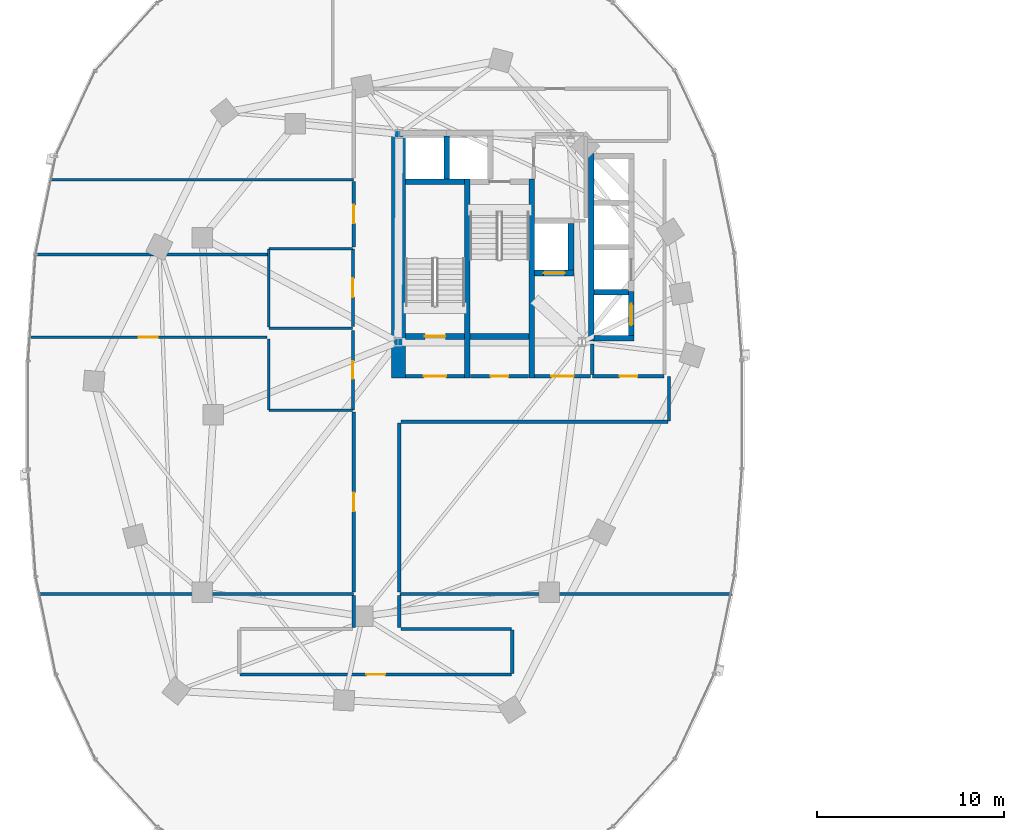
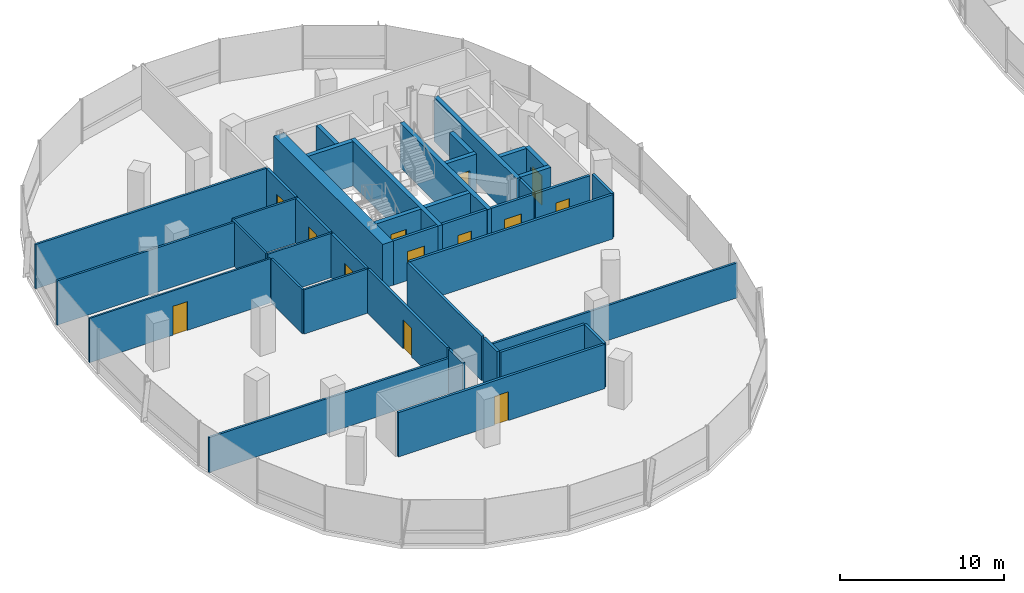
# One storey, part 11 of 21: 40 walls, 13 doors, 13 openings.
"""IFC4 building model written with IfcOpenShell, lengths in metres."""

from ifc_helpers import new_model, si_unit, direction, frame, frame_2d, origin, place, context, subcontext, project, spatial, rectangle, extrude, material, layer, layer_set, type_object, element, fill, save


model = new_model("IFC4")

# Units and contexts
model_context = context("Model", 3, precision=1e-05, world=origin(), true_north=direction((0.0, 1.0)))
body_context = subcontext(model_context, "Body", "Model", "MODEL_VIEW")
ifc_project = project(units=[si_unit("LENGTHUNIT", "METRE"), si_unit("AREAUNIT", "SQUARE_METRE"), si_unit("VOLUMEUNIT", "CUBIC_METRE"), si_unit("PLANEANGLEUNIT", "RADIAN"), si_unit("MASSUNIT", "GRAM", prefix="KILO"), si_unit("THERMODYNAMICTEMPERATUREUNIT", "KELVIN"), si_unit("POWERUNIT", "WATT")], contexts=[model_context])

# Site, building, storey
site_placement = place(None, origin())
site = spatial("IfcSite", under=ifc_project, at=site_placement, CompositionType="ELEMENT")
building_placement = place(site_placement, origin())
building = spatial("IfcBuilding", under=site, at=building_placement, Name="Cundina Bronze Exchange", CompositionType="ELEMENT")
storey_placement = place(building_placement, frame((0.0, 0.0, 110.60009765625)))
storey = spatial("IfcBuildingStorey", under=building, at=storey_placement, Name="L28", CompositionType="ELEMENT", Elevation=110.60009765625)

# Wall
ifc_material_1 = material(Name="Gypsum Fireboard Partition EI120")
ifc_layer_1 = layer(ifc_material_1, 0.179931640625, Name="Gypsum Fireboard Partition EI120")
ifc_layer_set_1 = layer_set([ifc_layer_1], Name="Gypsum Fireboard Partition EI120")
wall_type_1 = type_object("IfcWallType", Name="WL-COR-180", PredefinedType="PARTITIONING", material=ifc_layer_set_1)
wall_1_placement = place(storey_placement, frame((-20.889892578125, 2.14990234375, 0.0), z_axis=(0.0, 0.0, 1.0), x_axis=(0.0, 1.0, 0.0)))
element("IfcWall", 1, at=wall_1_placement, inside=storey, type_object=wall_type_1, Name="L28 W Firefighting Lobby Side Wall", PredefinedType="PARTITIONING", context=body_context, shape_type="SweptSolid", body=[
    extrude(rectangle(XDim=1.650146484375, YDim=0.179931640625, at=frame_2d((0.8251953125, 0.0))), origin(), (0.0, 0.0, 1.0), 3.2998046875),
])

# Wall, opening, door
wall_2_placement = place(storey_placement, frame((-23.97998046875, 2.06005859375, 0.0), z_axis=(0.0, 0.0, 1.0), x_axis=(1.0, 0.0, 0.0)))
wall_2 = element("IfcWall", 2, at=wall_2_placement, inside=storey, type_object=wall_type_1, Name="L28 W Firefighting Lobby Exit Wall", PredefinedType="PARTITIONING", context=body_context, shape_type="SweptSolid", body=[
    extrude(rectangle(XDim=3.0, YDim=0.179931640625, at=frame_2d((1.5, 0.0))), origin(), (0.0, 0.0, 1.0), 3.2998046875),
])
opening_1_placement = place(wall_2_placement, frame((0.89990234375, 0.0, 0.0)))
opening_1 = element("IfcOpeningElement", 3, at=opening_1_placement, cuts=wall_2, Name="Opening DF-01", PredefinedType="OPENING", context=body_context, shape_type="SweptSolid", body=[
    extrude(rectangle(XDim=1.199951171875, YDim=2.14990234375, at=frame_2d((0.60009765625, 1.074951171875))), frame((0.0, 0.099853515625, 0.0), z_axis=(0.0, -1.0, 0.0), x_axis=(1.0, 0.0, 0.0)), (0.0, 0.0, 1.0), 0.199951171875),
])
ifc_material_2 = material(Name="Steel ASTM A36 Painted", Category="steel")
door_type_1 = type_object("IfcDoorType", Name="DR-FFL-1200", OperationType="NOTDEFINED", PredefinedType="DOOR", material=ifc_material_2)
door_1_placement = place(opening_1_placement, origin())
door_1 = element("IfcDoor", 4, at=door_1_placement, inside=storey, type_object=door_type_1, Name="L28 W Firefighting Lobby Door", OperationType="SINGLE_SWING_RIGHT", OverallHeight=2.14990234375, OverallWidth=1.199951171875, PredefinedType="DOOR", context=body_context, shape_type="SweptSolid", body=[
    extrude(rectangle(XDim=1.199951171875, YDim=2.14990234375, at=frame_2d((0.60009765625, 1.074951171875))), frame((0.0, 0.02490234375, 0.0), z_axis=(0.0, -1.0, 0.0), x_axis=(1.0, 0.0, 0.0)), (0.0, 0.0, 1.0), 0.050048828125),
])
fill(opening_1, door_1)

wall_3_placement = place(storey_placement, frame((-30.89990234375, 2.06005859375, 0.0), z_axis=(0.0, 0.0, 1.0), x_axis=(1.0, 0.0, 0.0)))
wall_3 = element("IfcWall", 5, at=wall_3_placement, inside=storey, type_object=wall_type_1, Name="L28 W Stair Vestibule Exit Wall", PredefinedType="PARTITIONING", context=body_context, shape_type="SweptSolid", body=[
    extrude(rectangle(XDim=3.159912109375, YDim=0.179931640625, at=frame_2d((1.580078125, 0.0))), origin(), (0.0, 0.0, 1.0), 3.2998046875),
])
opening_2_placement = place(wall_3_placement, frame((0.97998046875, 0.0, 0.0)))
opening_2 = element("IfcOpeningElement", 6, at=opening_2_placement, cuts=wall_3, Name="Opening DF-01", PredefinedType="OPENING", context=body_context, shape_type="SweptSolid", body=[
    extrude(rectangle(XDim=1.199951171875, YDim=2.14990234375, at=frame_2d((0.60009765625, 1.074951171875))), frame((0.0, 0.099853515625, 0.0), z_axis=(0.0, -1.0, 0.0), x_axis=(1.0, 0.0, 0.0)), (0.0, 0.0, 1.0), 0.199951171875),
])
door_2_placement = place(opening_2_placement, origin())
door_2 = element("IfcDoor", 7, at=door_2_placement, inside=storey, type_object=door_type_1, Name="L28 W Stair Vestibule Door", OperationType="SINGLE_SWING_LEFT", OverallHeight=2.14990234375, OverallWidth=1.199951171875, PredefinedType="DOOR", context=body_context, shape_type="SweptSolid", body=[
    extrude(rectangle(XDim=1.199951171875, YDim=2.14990234375, at=frame_2d((0.60009765625, 1.074951171875))), frame((0.0, 0.02490234375, 0.0), z_axis=(0.0, -1.0, 0.0), x_axis=(1.0, 0.0, 0.0)), (0.0, 0.0, 1.0), 0.050048828125),
])
fill(opening_2, door_2)

wall_4_placement = place(storey_placement, frame((-20.8701171875, 2.070068359375, 0.0), z_axis=(0.0, 0.0, 1.0), x_axis=(1.0, 0.0, 0.0)))
wall_4 = element("IfcWall", 8, at=wall_4_placement, inside=storey, type_object=wall_type_1, Name="L28 Interior Partition 002", PredefinedType="PARTITIONING", context=body_context, shape_type="SweptSolid", body=[
    extrude(rectangle(XDim=3.830078125, YDim=0.179931640625, at=frame_2d((1.9150390625, 0.0))), origin(), (0.0, 0.0, 1.0), 3.2998046875),
])
opening_3_placement = place(wall_4_placement, frame((1.43994140625, 0.0, 0.0)))
opening_3 = element("IfcOpeningElement", 9, at=opening_3_placement, cuts=wall_4, Name="Opening DW-01", PredefinedType="OPENING", context=body_context, shape_type="SweptSolid", body=[
    extrude(rectangle(XDim=0.949951171875, YDim=2.10009765625, at=frame_2d((0.47509765625, 1.050048828125))), frame((0.0, 0.099853515625, 0.0), z_axis=(0.0, -1.0, 0.0), x_axis=(1.0, 0.0, 0.0)), (0.0, 0.0, 1.0), 0.199951171875),
])
ifc_material_3 = material(Name="Solid Andean Oak Timber Grade A", Category="wood")
door_type_2 = type_object("IfcDoorType", Name="DR-WC-950", OperationType="NOTDEFINED", PredefinedType="DOOR", material=ifc_material_3)
door_3_placement = place(opening_3_placement, origin())
door_3 = element("IfcDoor", 10, at=door_3_placement, inside=storey, type_object=door_type_2, Name="L28 Interior Door 002", OperationType="SINGLE_SWING_LEFT", OverallHeight=2.10009765625, OverallWidth=0.949951171875, PredefinedType="DOOR", context=body_context, shape_type="SweptSolid", body=[
    extrude(rectangle(XDim=0.949951171875, YDim=2.10009765625, at=frame_2d((0.47509765625, 1.050048828125))), frame((0.0, 0.02490234375, 0.0), z_axis=(0.0, -1.0, 0.0), x_axis=(1.0, 0.0, 0.0)), (0.0, 0.0, 1.0), 0.050048828125),
])
fill(opening_3, door_3)

wall_5_placement = place(storey_placement, frame((-27.419921875, 2.070068359375, 0.0), z_axis=(0.0, 0.0, 1.0), x_axis=(1.0, 0.0, 0.0)))
wall_5 = element("IfcWall", 11, at=wall_5_placement, inside=storey, type_object=wall_type_1, Name="L28 Interior Partition 006", PredefinedType="PARTITIONING", context=body_context, shape_type="SweptSolid", body=[
    extrude(rectangle(XDim=3.119873046875, YDim=0.179931640625, at=frame_2d((1.56005859375, 0.0))), origin(), (0.0, 0.0, 1.0), 3.2998046875),
])
opening_4_placement = place(wall_5_placement, frame((1.0849609375, 0.0, 0.0)))
opening_4 = element("IfcOpeningElement", 12, at=opening_4_placement, cuts=wall_5, Name="Opening DW-01", PredefinedType="OPENING", context=body_context, shape_type="SweptSolid", body=[
    extrude(rectangle(XDim=0.949951171875, YDim=2.10009765625, at=frame_2d((0.47509765625, 1.050048828125))), frame((0.0, 0.099853515625, 0.0), z_axis=(0.0, -1.0, 0.0), x_axis=(1.0, 0.0, 0.0)), (0.0, 0.0, 1.0), 0.199951171875),
])
door_4_placement = place(opening_4_placement, origin())
door_4 = element("IfcDoor", 13, at=door_4_placement, inside=storey, type_object=door_type_2, Name="L28 Interior Door 006", OperationType="SINGLE_SWING_RIGHT", OverallHeight=2.10009765625, OverallWidth=0.949951171875, PredefinedType="DOOR", context=body_context, shape_type="SweptSolid", body=[
    extrude(rectangle(XDim=0.949951171875, YDim=2.10009765625, at=frame_2d((0.47509765625, 1.050048828125))), frame((0.0, 0.02490234375, 0.0), z_axis=(0.0, -1.0, 0.0), x_axis=(1.0, 0.0, 0.0)), (0.0, 0.0, 1.0), 0.050048828125),
])
fill(opening_4, door_4)

wall_6_placement = place(storey_placement, frame((-33.719970703125, 0.27001953125, 0.0), z_axis=(0.0, 0.0, 1.0), x_axis=(0.0, 1.0, 0.0)))
wall_6 = element("IfcWall", 14, at=wall_6_placement, inside=storey, type_object=wall_type_1, Name="L28 Interior Partition 013", PredefinedType="PARTITIONING", context=body_context, shape_type="SweptSolid", body=[
    extrude(rectangle(XDim=4.260009765625, YDim=0.179931640625, at=frame_2d((2.1298828125, 0.0))), origin(), (0.0, 0.0, 1.0), 3.2998046875),
])
opening_5_placement = place(wall_6_placement, frame((1.655029296875, 0.0, 0.0)))
opening_5 = element("IfcOpeningElement", 15, at=opening_5_placement, cuts=wall_6, Name="Opening DW-01", PredefinedType="OPENING", context=body_context, shape_type="SweptSolid", body=[
    extrude(rectangle(XDim=0.949951171875, YDim=2.10009765625, at=frame_2d((0.47509765625, 1.050048828125))), frame((0.0, 0.099853515625, 0.0), z_axis=(0.0, -1.0, 0.0), x_axis=(1.0, 0.0, 0.0)), (0.0, 0.0, 1.0), 0.199951171875),
])
door_5_placement = place(opening_5_placement, origin())
door_5 = element("IfcDoor", 16, at=door_5_placement, inside=storey, type_object=door_type_2, Name="L28 Interior Door 013", OperationType="SINGLE_SWING_LEFT", OverallHeight=2.10009765625, OverallWidth=0.949951171875, PredefinedType="DOOR", context=body_context, shape_type="SweptSolid", body=[
    extrude(rectangle(XDim=0.949951171875, YDim=2.10009765625, at=frame_2d((0.47509765625, 1.050048828125))), frame((0.0, 0.02490234375, 0.0), z_axis=(0.0, -1.0, 0.0), x_axis=(1.0, 0.0, 0.0)), (0.0, 0.0, 1.0), 0.050048828125),
])
fill(opening_5, door_5)

wall_7_placement = place(storey_placement, frame((-33.719970703125, 4.72998046875, 0.0), z_axis=(0.0, 0.0, 1.0), x_axis=(0.0, 1.0, 0.0)))
wall_7 = element("IfcWall", 17, at=wall_7_placement, inside=storey, type_object=wall_type_1, Name="L28 Interior Partition 014", PredefinedType="PARTITIONING", context=body_context, shape_type="SweptSolid", body=[
    extrude(rectangle(XDim=4.159912109375, YDim=0.179931640625, at=frame_2d((2.080078125, 0.0))), origin(), (0.0, 0.0, 1.0), 3.2998046875),
])
opening_6_placement = place(wall_7_placement, frame((1.580078125, 0.0, 0.0)))
opening_6 = element("IfcOpeningElement", 18, at=opening_6_placement, cuts=wall_7, Name="Opening DO-01", PredefinedType="OPENING", context=body_context, shape_type="SweptSolid", body=[
    extrude(rectangle(XDim=1.0, YDim=2.14990234375, at=frame_2d((0.5, 1.074951171875))), frame((0.0, 0.099853515625, 0.0), z_axis=(0.0, -1.0, 0.0), x_axis=(1.0, 0.0, 0.0)), (0.0, 0.0, 1.0), 0.199951171875),
])
door_type_3 = type_object("IfcDoorType", Name="DR-OFF-1000", OperationType="NOTDEFINED", PredefinedType="DOOR", material=ifc_material_3)
door_6_placement = place(opening_6_placement, origin())
door_6 = element("IfcDoor", 19, at=door_6_placement, inside=storey, type_object=door_type_3, Name="L28 Interior Door 014", OperationType="SINGLE_SWING_LEFT", OverallHeight=2.14990234375, OverallWidth=1.0, PredefinedType="DOOR", context=body_context, shape_type="SweptSolid", body=[
    extrude(rectangle(XDim=1.0, YDim=2.14990234375, at=frame_2d((0.5, 1.074951171875))), frame((0.0, 0.02490234375, 0.0), z_axis=(0.0, -1.0, 0.0), x_axis=(1.0, 0.0, 0.0)), (0.0, 0.0, 1.0), 0.050048828125),
])
fill(opening_6, door_6)

wall_8_placement = place(storey_placement, frame((-39.778564453125, -13.919921875, 0.0), z_axis=(0.0, 0.0, 1.0), x_axis=(1.0, 0.0, 0.0)))
wall_8 = element("IfcWall", 20, at=wall_8_placement, inside=storey, type_object=wall_type_1, Name="L28 Interior Partition 020", PredefinedType="PARTITIONING", context=body_context, shape_type="SweptSolid", body=[
    extrude(rectangle(XDim=14.55712890625, YDim=0.179931640625, at=frame_2d((7.278564453125, 0.0))), origin(), (0.0, 0.0, 1.0), 3.2998046875),
])
opening_7_placement = place(wall_8_placement, frame((6.778564453125, 0.0, 0.0)))
opening_7 = element("IfcOpeningElement", 21, at=opening_7_placement, cuts=wall_8, Name="Opening DO-01", PredefinedType="OPENING", context=body_context, shape_type="SweptSolid", body=[
    extrude(rectangle(XDim=1.0, YDim=2.14990234375, at=frame_2d((0.5, 1.074951171875))), frame((0.0, 0.099853515625, 0.0), z_axis=(0.0, -1.0, 0.0), x_axis=(1.0, 0.0, 0.0)), (0.0, 0.0, 1.0), 0.199951171875),
])
door_7_placement = place(opening_7_placement, origin())
door_7 = element("IfcDoor", 22, at=door_7_placement, inside=storey, type_object=door_type_3, Name="L28 Interior Door 020", OperationType="SINGLE_SWING_RIGHT", OverallHeight=2.14990234375, OverallWidth=1.0, PredefinedType="DOOR", context=body_context, shape_type="SweptSolid", body=[
    extrude(rectangle(XDim=1.0, YDim=2.14990234375, at=frame_2d((0.5, 1.074951171875))), frame((0.0, 0.02490234375, 0.0), z_axis=(0.0, -1.0, 0.0), x_axis=(1.0, 0.0, 0.0)), (0.0, 0.0, 1.0), 0.050048828125),
])
fill(opening_7, door_7)

# Walls
wall_9_placement = place(storey_placement, frame((-25.221435546875, -11.47998046875, 0.0), z_axis=(0.0, 0.0, 1.0), x_axis=(-1.0, 0.0, 0.0)))
element("IfcWall", 23, at=wall_9_placement, inside=storey, type_object=wall_type_1, Name="L28 Interior Partition 022", PredefinedType="PARTITIONING", context=body_context, shape_type="SweptSolid", body=[
    extrude(rectangle(XDim=5.928466796875, YDim=0.179931640625, at=frame_2d((2.96435546875, 0.0))), origin(), (0.0, 0.0, 1.0), 3.2998046875),
])
wall_10_placement = place(storey_placement, frame((-25.179931640625, -13.87841796875, 0.0), z_axis=(0.0, 0.0, 1.0), x_axis=(0.0, 1.0, 0.0)))
element("IfcWall", 24, at=wall_10_placement, inside=storey, type_object=wall_type_1, Name="L28 Interior Partition 024", PredefinedType="PARTITIONING", context=body_context, shape_type="SweptSolid", body=[
    extrude(rectangle(XDim=2.35693359375, YDim=0.179931640625, at=frame_2d((1.178466796875, 0.0))), origin(), (0.0, 0.0, 1.0), 3.2998046875),
])
for number, where, z_axis, x_axis, name in (
    (25, (-33.669921875, -9.68994140625, 0.0), (0.0, 0.0, 1.0), (0.0, -1.0, 0.0), "L28 Interior Partition 025"),
    (26, (-31.22998046875, -11.39990234375, 0.0), (0.0, 0.0, 1.0), (0.0, 1.0, 0.0), "L28 Interior Partition 026"),
):
    element("IfcWall", number, at=place(storey_placement, frame(where, z_axis=z_axis, x_axis=x_axis)), inside=storey, type_object=wall_type_1, Name=name, PredefinedType="PARTITIONING", context=body_context, shape_type="SweptSolid", body=[
        extrude(rectangle(XDim=1.7099609375, YDim=0.179931640625, at=frame_2d((0.85498046875, 0.0))), origin(), (0.0, 0.0, 1.0), 3.2998046875),
    ])

# Wall, opening, door
wall_11_placement = place(storey_placement, frame((-33.669921875, 0.15869140625, 0.0), z_axis=(0.0, 0.0, 1.0), x_axis=(0.0, -1.0, 0.0)))
wall_11 = element("IfcWall", 27, at=wall_11_placement, inside=storey, type_object=wall_type_1, Name="L28 Interior Partition 027", PredefinedType="PARTITIONING", context=body_context, shape_type="SweptSolid", body=[
    extrude(rectangle(XDim=9.668701171875, YDim=0.179931640625, at=frame_2d((4.83447265625, 0.0))), origin(), (0.0, 0.0, 1.0), 3.2998046875),
])
opening_8_placement = place(wall_11_placement, frame((4.334228515625, 0.0, 0.0)))
opening_8 = element("IfcOpeningElement", 28, at=opening_8_placement, cuts=wall_11, Name="Opening DO-01", PredefinedType="OPENING", context=body_context, shape_type="SweptSolid", body=[
    extrude(rectangle(XDim=1.0, YDim=2.14990234375, at=frame_2d((0.5, 1.074951171875))), frame((0.0, 0.099853515625, 0.0), z_axis=(0.0, -1.0, 0.0), x_axis=(1.0, 0.0, 0.0)), (0.0, 0.0, 1.0), 0.199951171875),
])
door_8_placement = place(opening_8_placement, origin())
door_8 = element("IfcDoor", 29, at=door_8_placement, inside=storey, type_object=door_type_3, Name="L28 Interior Door 027", OperationType="SINGLE_SWING_RIGHT", OverallHeight=2.14990234375, OverallWidth=1.0, PredefinedType="DOOR", context=body_context, shape_type="SweptSolid", body=[
    extrude(rectangle(XDim=1.0, YDim=2.14990234375, at=frame_2d((0.5, 1.074951171875))), frame((0.0, 0.02490234375, 0.0), z_axis=(0.0, -1.0, 0.0), x_axis=(1.0, 0.0, 0.0)), (0.0, 0.0, 1.0), 0.050048828125),
])
fill(opening_8, door_8)

# Walls
wall_12_placement = place(storey_placement, frame((-31.14990234375, -0.3701171875, 0.0), z_axis=(0.0, 0.0, 1.0), x_axis=(1.0, 0.0, 0.0)))
element("IfcWall", 30, at=wall_12_placement, inside=storey, type_object=wall_type_1, Name="L28 Interior Partition 029", PredefinedType="PARTITIONING", context=body_context, shape_type="SweptSolid", body=[
    extrude(rectangle(XDim=14.328369140625, YDim=0.179931640625, at=frame_2d((7.1640625, 0.0))), origin(), (0.0, 0.0, 1.0), 3.2998046875),
])
wall_13_placement = place(storey_placement, frame((-31.22998046875, -9.510009765625, 0.0), z_axis=(0.0, 0.0, 1.0), x_axis=(0.0, 1.0, 0.0)))
element("IfcWall", 31, at=wall_13_placement, inside=storey, type_object=wall_type_1, Name="L28 Interior Partition 030", PredefinedType="PARTITIONING", context=body_context, shape_type="SweptSolid", body=[
    extrude(rectangle(XDim=9.06005859375, YDim=0.179931640625, at=frame_2d((4.530029296875, 0.0))), origin(), (0.0, 0.0, 1.0), 3.2998046875),
])
wall_14_placement = place(storey_placement, frame((-16.780029296875, -0.32861328125, 0.0), z_axis=(0.0, 0.0, 1.0), x_axis=(0.0, 1.0, 0.0)))
element("IfcWall", 32, at=wall_14_placement, inside=storey, type_object=wall_type_1, Name="L28 Interior Partition 034", PredefinedType="PARTITIONING", context=body_context, shape_type="SweptSolid", body=[
    extrude(rectangle(XDim=2.38720703125, YDim=0.179931640625, at=frame_2d((1.193603515625, 0.0))), origin(), (0.0, 0.0, 1.0), 3.2998046875),
])

# Wall, opening, door
wall_15_placement = place(storey_placement, frame((-33.669921875, 12.510009765625, 0.0), z_axis=(0.0, 0.0, 1.0), x_axis=(0.0, -1.0, 0.0)))
wall_15 = element("IfcWall", 33, at=wall_15_placement, inside=storey, type_object=wall_type_1, Name="L28 Interior Partition 035", PredefinedType="PARTITIONING", context=body_context, shape_type="SweptSolid", body=[
    extrude(rectangle(XDim=3.508544921875, YDim=0.179931640625, at=frame_2d((1.75439453125, 0.0))), origin(), (0.0, 0.0, 1.0), 3.2998046875),
])
opening_9_placement = place(wall_15_placement, frame((1.25439453125, 0.0, 0.0)))
opening_9 = element("IfcOpeningElement", 34, at=opening_9_placement, cuts=wall_15, Name="Opening DO-01", PredefinedType="OPENING", context=body_context, shape_type="SweptSolid", body=[
    extrude(rectangle(XDim=1.0, YDim=2.14990234375, at=frame_2d((0.5, 1.074951171875))), frame((0.0, 0.099853515625, 0.0), z_axis=(0.0, -1.0, 0.0), x_axis=(1.0, 0.0, 0.0)), (0.0, 0.0, 1.0), 0.199951171875),
])
door_9_placement = place(opening_9_placement, origin())
door_9 = element("IfcDoor", 35, at=door_9_placement, inside=storey, type_object=door_type_3, Name="L28 Interior Door 035", OperationType="SINGLE_SWING_LEFT", OverallHeight=2.14990234375, OverallWidth=1.0, PredefinedType="DOOR", context=body_context, shape_type="SweptSolid", body=[
    extrude(rectangle(XDim=1.0, YDim=2.14990234375, at=frame_2d((0.5, 1.074951171875))), frame((0.0, 0.02490234375, 0.0), z_axis=(0.0, -1.0, 0.0), x_axis=(1.0, 0.0, 0.0)), (0.0, 0.0, 1.0), 0.050048828125),
])
fill(opening_9, door_9)

# Wall
ifc_material_4 = material(Name="Concrete C60/75", Category="concrete")
ifc_layer_2 = layer(ifc_material_4, 0.75, Name="Concrete C60/75", Category="concrete")
ifc_layer_set_2 = layer_set([ifc_layer_2], Name="Concrete C60/75")
wall_type_2 = type_object("IfcWallType", Name="WL-CORE-750", PredefinedType="SHEAR", material=ifc_layer_set_2)
wall_16_placement = place(storey_placement, frame((-31.27490234375, 1.969970703125, 0.0), z_axis=(0.0, 0.0, 1.0), x_axis=(0.0, 1.0, 0.0)))
element("IfcWall", 36, at=wall_16_placement, inside=storey, type_object=wall_type_2, Name="L28 W Primary Core Shear Spine Wall", PredefinedType="SHEAR", context=body_context, shape_type="SweptSolid", body=[
    extrude(rectangle(XDim=13.330078125, YDim=0.75, at=frame_2d((6.6650390625, 0.0))), origin(), (0.0, 0.0, 1.0), 3.2998046875),
])

# Wall, opening, door
ifc_material_5 = material(Name="Gypsum Acoustic Partition EI60")
ifc_layer_3 = layer(ifc_material_5, 0.125, Name="Gypsum Acoustic Partition EI60")
ifc_layer_set_3 = layer_set([ifc_layer_3], Name="Gypsum Acoustic Partition EI60")
wall_type_3 = type_object("IfcWallType", Name="WL-OFF-125", PredefinedType="PARTITIONING", material=ifc_layer_set_3)
wall_17_placement = place(storey_placement, frame((-38.320068359375, 4.14990234375, 0.0), z_axis=(0.0, 0.0, 1.0), x_axis=(-1.0, 0.0, 0.0)))
wall_17 = element("IfcWall", 37, at=wall_17_placement, inside=storey, type_object=wall_type_3, Name="L28 Interior Partition 036", PredefinedType="PARTITIONING", context=body_context, shape_type="SweptSolid", body=[
    extrude(rectangle(XDim=12.74365234375, YDim=0.125, at=frame_2d((6.371826171875, 0.0))), origin(), (0.0, 0.0, 1.0), 3.2998046875),
])
opening_10_placement = place(wall_17_placement, frame((5.871826171875, 0.0, 0.0)))
opening_10 = element("IfcOpeningElement", 38, at=opening_10_placement, cuts=wall_17, Name="Opening DO-01", PredefinedType="OPENING", context=body_context, shape_type="SweptSolid", body=[
    extrude(rectangle(XDim=1.0, YDim=2.14990234375, at=frame_2d((0.5, 1.074951171875))), frame((0.0, 0.072509765625, 0.0), z_axis=(0.0, -1.0, 0.0), x_axis=(1.0, 0.0, 0.0)), (0.0, 0.0, 1.0), 0.14501953125),
])
door_10_placement = place(opening_10_placement, origin())
door_10 = element("IfcDoor", 39, at=door_10_placement, inside=storey, type_object=door_type_3, Name="L28 Interior Door 036", OperationType="SINGLE_SWING_LEFT", OverallHeight=2.14990234375, OverallWidth=1.0, PredefinedType="DOOR", context=body_context, shape_type="SweptSolid", body=[
    extrude(rectangle(XDim=1.0, YDim=2.14990234375, at=frame_2d((0.5, 1.074951171875))), frame((0.0, 0.02490234375, 0.0), z_axis=(0.0, -1.0, 0.0), x_axis=(1.0, 0.0, 0.0)), (0.0, 0.0, 1.0), 0.050048828125),
])
fill(opening_10, door_10)

# Walls
ifc_material_6 = material(Name="Concrete C50/60", Category="concrete")
ifc_layer_4 = layer(ifc_material_6, 0.300048828125, Name="Concrete C50/60", Category="concrete")
ifc_layer_set_4 = layer_set([ifc_layer_4], Name="Concrete C50/60")
wall_type_4 = type_object("IfcWallType", Name="WL-SHFT-300", PredefinedType="SHEAR", material=ifc_layer_set_4)
for number, where, z_axis, x_axis, name in (
    (40, (-27.590087890625, 1.969970703125, 0.0), (0.0, 0.0, 1.0), (0.0, 1.0, 0.0), "L28 W Stair Shaft Dividing Shear Wall"),
    (41, (-24.1298828125, 1.969970703125, 0.0), (0.0, 0.0, 1.0), (0.0, 1.0, 0.0), "L28 W Stair 2 East Shear Wall"),
):
    element("IfcWall", number, at=place(storey_placement, frame(where, z_axis=z_axis, x_axis=x_axis)), inside=storey, type_object=wall_type_4, Name=name, PredefinedType="SHEAR", context=body_context, shape_type="SweptSolid", body=[
        extrude(rectangle(XDim=10.679931640625, YDim=0.300048828125, at=frame_2d((5.33984375, 0.0))), origin(), (0.0, 0.0, 1.0), 3.2998046875),
    ])

# Wall, opening, door
wall_18_placement = place(storey_placement, frame((-30.89990234375, 4.199951171875, 0.0), z_axis=(0.0, 0.0, 1.0), x_axis=(1.0, 0.0, 0.0)))
wall_18 = element("IfcWall", 42, at=wall_18_placement, inside=storey, type_object=wall_type_4, Name="L28 Stair W1 Landing Wall", PredefinedType="SHEAR", context=body_context, shape_type="SweptSolid", body=[
    extrude(rectangle(XDim=3.159912109375, YDim=0.300048828125, at=frame_2d((1.580078125, 0.0))), origin(), (0.0, 0.0, 1.0), 3.2998046875),
])
opening_11_placement = place(wall_18_placement, frame((1.030029296875, 0.0, 0.0)))
opening_11 = element("IfcOpeningElement", 43, at=opening_11_placement, cuts=wall_18, Name="Opening DS-01", PredefinedType="OPENING", context=body_context, shape_type="SweptSolid", body=[
    extrude(rectangle(XDim=1.10009765625, YDim=2.14990234375, at=frame_2d((0.550048828125, 1.074951171875))), frame((0.0, 0.159912109375, 0.0), z_axis=(0.0, -1.0, 0.0), x_axis=(1.0, 0.0, 0.0)), (0.0, 0.0, 1.0), 0.320068359375),
])
door_type_4 = type_object("IfcDoorType", Name="DR-STR-1100", OperationType="NOTDEFINED", PredefinedType="DOOR", material=ifc_material_2)
door_11_placement = place(opening_11_placement, origin())
door_11 = element("IfcDoor", 44, at=door_11_placement, inside=storey, type_object=door_type_4, Name="L28 Smokeproof Stair W1 Door", OperationType="SINGLE_SWING_RIGHT", OverallHeight=2.14990234375, OverallWidth=1.10009765625, PredefinedType="DOOR", context=body_context, shape_type="SweptSolid", body=[
    extrude(rectangle(XDim=1.10009765625, YDim=2.14990234375, at=frame_2d((0.550048828125, 1.074951171875))), frame((0.0, 0.02490234375, 0.0), z_axis=(0.0, -1.0, 0.0), x_axis=(1.0, 0.0, 0.0)), (0.0, 0.0, 1.0), 0.050048828125),
])
fill(opening_11, door_11)

# Walls
for number, where, z_axis, x_axis, name in (
    (45, (-30.89990234375, 12.5, 0.0), (0.0, 0.0, 1.0), (1.0, 0.0, 0.0), "L28 Stair W1 Far Shaft Wall"),
    (46, (-27.43994140625, 4.199951171875, 0.0), (0.0, 0.0, 1.0), (1.0, 0.0, 0.0), "L28 Stair W2 Far Shaft Wall"),
):
    element("IfcWall", number, at=place(storey_placement, frame(where, z_axis=z_axis, x_axis=x_axis)), inside=storey, type_object=wall_type_4, Name=name, PredefinedType="SHEAR", context=body_context, shape_type="SweptSolid", body=[
        extrude(rectangle(XDim=3.159912109375, YDim=0.300048828125, at=frame_2d((1.580078125, 0.0))), origin(), (0.0, 0.0, 1.0), 3.2998046875),
    ])

# Wall, opening, door
wall_19_placement = place(storey_placement, frame((-23.97998046875, 7.60009765625, 0.0), z_axis=(0.0, 0.0, 1.0), x_axis=(1.0, 0.0, 0.0)))
wall_19 = element("IfcWall", 47, at=wall_19_placement, inside=storey, type_object=wall_type_4, Name="L28 FFL-W Hoistway Front Wall", PredefinedType="SHEAR", context=body_context, shape_type="SweptSolid", body=[
    extrude(rectangle(XDim=2.10009765625, YDim=0.300048828125, at=frame_2d((1.050048828125, 0.0))), origin(), (0.0, 0.0, 1.0), 3.2998046875),
])
opening_12_placement = place(wall_19_placement, frame((0.47509765625, 0.0, 0.0)))
opening_12 = element("IfcOpeningElement", 48, at=opening_12_placement, cuts=wall_19, Name="Opening LD-01", PredefinedType="OPENING", context=body_context, shape_type="SweptSolid", body=[
    extrude(rectangle(XDim=1.14990234375, YDim=2.199951171875, at=frame_2d((0.574951171875, 1.10009765625))), frame((0.0, 0.159912109375, 0.0), z_axis=(0.0, -1.0, 0.0), x_axis=(1.0, 0.0, 0.0)), (0.0, 0.0, 1.0), 0.320068359375),
])
door_type_5 = type_object("IfcDoorType", Name="DR-LND-1150", OperationType="NOTDEFINED", PredefinedType="TRAPDOOR", material=ifc_material_2)
door_12_placement = place(opening_12_placement, origin())
door_12 = element("IfcDoor", 49, at=door_12_placement, inside=storey, type_object=door_type_5, Name="L28 FFL-W Sliding Landing Door", OperationType="SLIDING_TO_LEFT", OverallHeight=2.199951171875, OverallWidth=1.14990234375, PredefinedType="TRAPDOOR", context=body_context, shape_type="SweptSolid", body=[
    extrude(rectangle(XDim=1.14990234375, YDim=2.199951171875, at=frame_2d((0.574951171875, 1.10009765625))), frame((0.0, 0.02490234375, 0.0), z_axis=(0.0, -1.0, 0.0), x_axis=(1.0, 0.0, 0.0)), (0.0, 0.0, 1.0), 0.050048828125),
])
fill(opening_12, door_12)

# Walls
wall_20_placement = place(storey_placement, frame((-22.030029296875, 7.75, 0.0), z_axis=(0.0, 0.0, 1.0), x_axis=(0.0, 1.0, 0.0)))
element("IfcWall", 50, at=wall_20_placement, inside=storey, type_object=wall_type_4, Name="L28 FFL-W Hoistway Side Wall", PredefinedType="SHEAR", context=body_context, shape_type="SweptSolid", body=[
    extrude(rectangle(XDim=2.5, YDim=0.300048828125, at=frame_2d((1.25, 0.0))), origin(), (0.0, 0.0, 1.0), 3.2998046875),
])
wall_21_placement = place(storey_placement, frame((-28.699951171875, 12.64990234375, 0.0), z_axis=(0.0, 0.0, 1.0), x_axis=(0.0, 1.0, 0.0)))
element("IfcWall", 51, at=wall_21_placement, inside=storey, type_object=wall_type_4, Name="L28 PH-W1 Hoistway Divider Wall", PredefinedType="SHEAR", context=body_context, shape_type="SweptSolid", body=[
    extrude(rectangle(XDim=2.300048828125, YDim=0.300048828125, at=frame_2d((1.14990234375, 0.0))), origin(), (0.0, 0.0, 1.0), 3.2998046875),
])
wall_22_placement = place(storey_placement, frame((-20.949951171875, 3.949951171875, 0.0), z_axis=(0.0, 0.0, 1.0), x_axis=(0.0, 1.0, 0.0)))
element("IfcWall", 52, at=wall_22_placement, inside=storey, type_object=wall_type_4, Name="L28 W Passenger Bank Hoistway Back Wall", PredefinedType="SHEAR", context=body_context, shape_type="SweptSolid", body=[
    extrude(rectangle(XDim=10.050048828125, YDim=0.300048828125, at=frame_2d((5.02490234375, 0.0))), origin(), (0.0, 0.0, 1.0), 3.2998046875),
])
wall_23_placement = place(storey_placement, frame((-20.800048828125, 4.10009765625, 0.0), z_axis=(0.0, 0.0, 1.0), x_axis=(1.0, 0.0, 0.0)))
element("IfcWall", 53, at=wall_23_placement, inside=storey, type_object=wall_type_4, Name="L28 W Passenger Bank South Cap Wall", PredefinedType="SHEAR", context=body_context, shape_type="SweptSolid", body=[
    extrude(rectangle(XDim=2.150146484375, YDim=0.300048828125, at=frame_2d((1.0751953125, 0.0))), origin(), (0.0, 0.0, 1.0), 3.2998046875),
])
wall_24_placement = place(storey_placement, frame((-20.800048828125, 6.574951171875, 0.0), z_axis=(0.0, 0.0, 1.0), x_axis=(1.0, 0.0, 0.0)))
element("IfcWall", 54, at=wall_24_placement, inside=storey, type_object=wall_type_4, Name="L28 W Passenger Hoistway Divider 1", PredefinedType="SHEAR", context=body_context, shape_type="SweptSolid", body=[
    extrude(rectangle(XDim=1.85009765625, YDim=0.300048828125, at=frame_2d((0.925048828125, 0.0))), origin(), (0.0, 0.0, 1.0), 3.2998046875),
])

# Wall, opening, door
wall_25_placement = place(storey_placement, frame((-18.800048828125, 4.1298828125, 0.0), z_axis=(0.0, 0.0, 1.0), x_axis=(0.0, 1.0, 0.0)))
wall_25 = element("IfcWall", 55, at=wall_25_placement, inside=storey, type_object=wall_type_4, Name="L28 PL-W2 Hoistway Front Wall", PredefinedType="SHEAR", context=body_context, shape_type="SweptSolid", body=[
    extrude(rectangle(XDim=2.490234375, YDim=0.300048828125, at=frame_2d((1.2451171875, 0.0))), origin(), (0.0, 0.0, 1.0), 3.2998046875),
])
opening_13_placement = place(wall_25_placement, frame((0.669921875, 0.0, 0.0)))
opening_13 = element("IfcOpeningElement", 56, at=opening_13_placement, cuts=wall_25, Name="Opening LD-01", PredefinedType="OPENING", context=body_context, shape_type="SweptSolid", body=[
    extrude(rectangle(XDim=1.14990234375, YDim=2.199951171875, at=frame_2d((0.574951171875, 1.10009765625))), frame((0.0, 0.159912109375, 0.0), z_axis=(0.0, -1.0, 0.0), x_axis=(1.0, 0.0, 0.0)), (0.0, 0.0, 1.0), 0.320068359375),
])
door_13_placement = place(opening_13_placement, origin())
door_13 = element("IfcDoor", 57, at=door_13_placement, inside=storey, type_object=door_type_5, Name="L28 PL-W2 Sliding Landing Door", OperationType="SLIDING_TO_LEFT", OverallHeight=2.199951171875, OverallWidth=1.14990234375, PredefinedType="TRAPDOOR", context=body_context, shape_type="SweptSolid", body=[
    extrude(rectangle(XDim=1.14990234375, YDim=2.199951171875, at=frame_2d((0.574951171875, 1.10009765625))), frame((0.0, 0.02490234375, 0.0), z_axis=(0.0, -1.0, 0.0), x_axis=(1.0, 0.0, 0.0)), (0.0, 0.0, 1.0), 0.050048828125),
])
fill(opening_13, door_13)

# Walls
ifc_layer_5 = layer(ifc_material_5, 0.14990234375, Name="Gypsum Acoustic Partition EI60")
ifc_layer_set_5 = layer_set([ifc_layer_5], Name="Gypsum Acoustic Partition EI60")
wall_type_5 = type_object("IfcWallType", Name="WL-TEN-150", PredefinedType="PARTITIONING", material=ifc_layer_set_5)
wall_26_placement = place(storey_placement, frame((-50.609619140625, -9.60009765625, 0.0), z_axis=(0.0, 0.0, 1.0), x_axis=(1.0, 0.0, 0.0)))
element("IfcWall", 58, at=wall_26_placement, inside=storey, type_object=wall_type_5, Name="L28 Interior Partition 015", PredefinedType="PARTITIONING", context=body_context, shape_type="SweptSolid", body=[
    extrude(rectangle(XDim=16.90966796875, YDim=0.14990234375, at=frame_2d((8.454833984375, 0.0))), origin(), (0.0, 0.0, 1.0), 2.60498046875),
])
wall_27_placement = place(storey_placement, frame((-31.199951171875, -9.60009765625, 0.0), z_axis=(0.0, 0.0, 1.0), x_axis=(1.0, 0.0, 0.0)))
element("IfcWall", 59, at=wall_27_placement, inside=storey, type_object=wall_type_5, Name="L28 Interior Partition 016", PredefinedType="PARTITIONING", context=body_context, shape_type="SweptSolid", body=[
    extrude(rectangle(XDim=17.8095703125, YDim=0.14990234375, at=frame_2d((8.90478515625, 0.0))), origin(), (0.0, 0.0, 1.0), 2.60498046875),
])
wall_28_placement = place(storey_placement, frame((-50.80859375, 8.60009765625, 0.0), z_axis=(0.0, 0.0, 1.0), x_axis=(1.0, 0.0, 0.0)))
element("IfcWall", 60, at=wall_28_placement, inside=storey, type_object=wall_type_5, Name="L28 Interior Partition 017", PredefinedType="PARTITIONING", context=body_context, shape_type="SweptSolid", body=[
    extrude(rectangle(XDim=12.53857421875, YDim=0.14990234375, at=frame_2d((6.269287109375, 0.0))), origin(), (0.0, 0.0, 1.0), 3.2998046875),
])
wall_29_placement = place(storey_placement, frame((-49.99267578125, 12.60009765625, 0.0), z_axis=(0.0, 0.0, 1.0), x_axis=(1.0, 0.0, 0.0)))
element("IfcWall", 61, at=wall_29_placement, inside=storey, type_object=wall_type_5, Name="L28 Interior Partition 018", PredefinedType="PARTITIONING", context=body_context, shape_type="SweptSolid", body=[
    extrude(rectangle(XDim=16.292724609375, YDim=0.14990234375, at=frame_2d((8.146484375, 0.0))), origin(), (0.0, 0.0, 1.0), 3.2998046875),
])
ifc_material_7 = material(Name="Moisture-Resistant Masonry Block Grade M15", Category="masonry")
ifc_layer_6 = layer(ifc_material_7, 0.139892578125, Name="Moisture-Resistant Masonry Block Grade M15", Category="masonry")
ifc_layer_set_6 = layer_set([ifc_layer_6], Name="Moisture-Resistant Masonry Block Grade M15")
wall_type_6 = type_object("IfcWallType", Name="WL-WET-140", PredefinedType="PARTITIONING", material=ifc_layer_set_6)
wall_30_placement = place(storey_placement, frame((-38.239990234375, 0.27001953125, 0.0), z_axis=(0.0, 0.0, 1.0), x_axis=(0.0, 1.0, 0.0)))
element("IfcWall", 62, at=wall_30_placement, inside=storey, type_object=wall_type_6, Name="L28 Interior Partition 008", PredefinedType="PARTITIONING", context=body_context, shape_type="SweptSolid", body=[
    extrude(rectangle(XDim=3.794921875, YDim=0.139892578125, at=frame_2d((1.8974609375, 0.0))), origin(), (0.0, 0.0, 1.0), 3.2998046875),
])
wall_31_placement = place(storey_placement, frame((-38.239990234375, 4.715087890625, 0.0), z_axis=(0.0, 0.0, 1.0), x_axis=(0.0, 1.0, 0.0)))
element("IfcWall", 63, at=wall_31_placement, inside=storey, type_object=wall_type_6, Name="L28 Interior Partition 009", PredefinedType="PARTITIONING", context=body_context, shape_type="SweptSolid", body=[
    extrude(rectangle(XDim=4.1748046875, YDim=0.139892578125, at=frame_2d((2.08740234375, 0.0))), origin(), (0.0, 0.0, 1.0), 3.2998046875),
])
for number, where, z_axis, x_axis, name in (
    (64, (-38.219970703125, 0.25, 0.0), (0.0, 0.0, 1.0), (1.0, 0.0, 0.0), "L28 Interior Partition 010"),
    (65, (-38.219970703125, 4.6298828125, 0.0), (0.0, 0.0, 1.0), (1.0, 0.0, 0.0), "L28 Interior Partition 011"),
    (66, (-38.219970703125, 8.909912109375, 0.0), (0.0, 0.0, 1.0), (1.0, 0.0, 0.0), "L28 Interior Partition 012"),
):
    element("IfcWall", number, at=place(storey_placement, frame(where, z_axis=z_axis, x_axis=x_axis)), inside=storey, type_object=wall_type_6, Name=name, PredefinedType="PARTITIONING", context=body_context, shape_type="SweptSolid", body=[
        extrude(rectangle(XDim=4.47998046875, YDim=0.139892578125, at=frame_2d((2.239990234375, 0.0))), origin(), (0.0, 0.0, 1.0), 3.2998046875),
    ])

save(model, "model.ifc")
